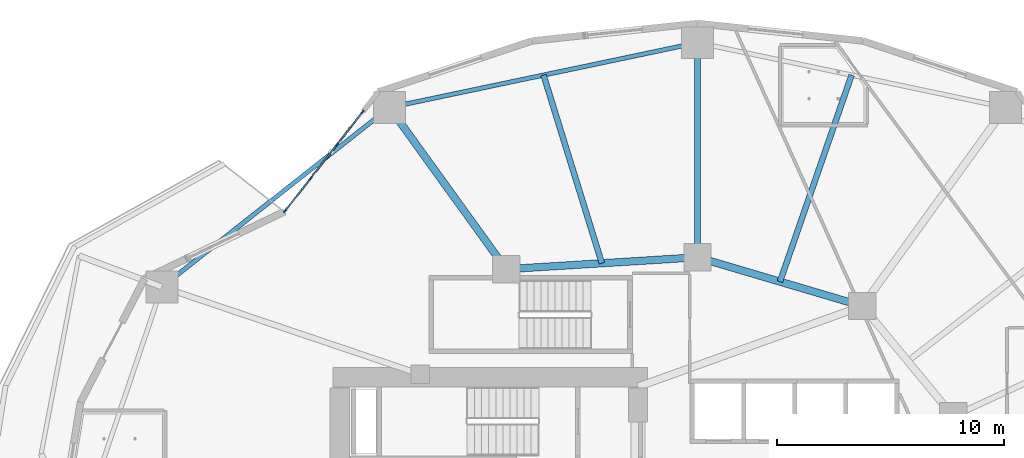
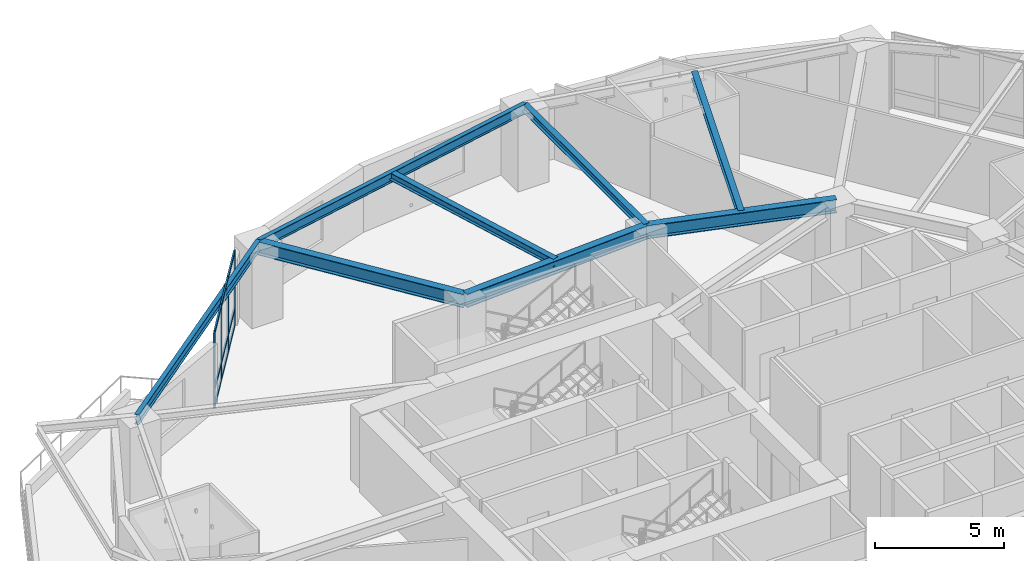
# One storey, part 2 of 18: 13 members, 8 beams, 1 element without a shape of its own.
"""IFC4 building model written with IfcOpenShell, lengths in metres."""

from ifc_helpers import new_model, si_unit, direction, frame, origin, origin_2d, place, context, subcontext, project, spatial, rectangle, i_section, extrude, material, layer, layer_set, material_profile, profile_set, type_object, element, aggregate, save


model = new_model("IFC4")

# Units and contexts
model_context = context("Model", 3, precision=1e-05, world=origin(), true_north=direction((0.0, 1.0)))
body_context = subcontext(model_context, "Body", "Model", "MODEL_VIEW")
ifc_project = project(units=[si_unit("LENGTHUNIT", "METRE"), si_unit("AREAUNIT", "SQUARE_METRE"), si_unit("VOLUMEUNIT", "CUBIC_METRE"), si_unit("PLANEANGLEUNIT", "RADIAN"), si_unit("MASSUNIT", "GRAM", prefix="KILO")], contexts=[model_context])

# Site, building, storey
site_placement = place(None, origin())
site = spatial("IfcSite", under=ifc_project, at=site_placement, CompositionType="ELEMENT")
building_placement = place(site_placement, origin())
building = spatial("IfcBuilding", under=site, at=building_placement, Name="Kolvaren Gate Tower and Convention Centre", CompositionType="ELEMENT")
storey_placement = place(building_placement, frame((0.0, 0.0, 30.35009765625)))
storey = spatial("IfcBuildingStorey", under=building, at=storey_placement, Name="L06", CompositionType="ELEMENT", Elevation=30.35009765625)

# Curtain wall, members
ifc_material_1 = material(Name="Anodized Architectural Aluminium Alloy 6063-T6", Category="aluminium")
ifc_layer = layer(ifc_material_1, 0.159912109375)
ifc_layer_set = layer_set([ifc_layer], Name="Anodized Architectural Aluminium Alloy 6063-T6")
curtain_wall_type = type_object("IfcCurtainWallType", Name="CW-OFF-UNIT", PredefinedType="NOTDEFINED", material=ifc_layer_set)
curtain_wall_placement = place(storey_placement, origin())
curtain_wall = element("IfcCurtainWall", 1, at=curtain_wall_placement, inside=storey, type_object=curtain_wall_type, Name="Tower L06 Unitised Curtain Wall CW-OFF-UNIT Bay 08", PredefinedType="NOTDEFINED")
ifc_material_profile_1 = material_profile(ifc_material_1, rectangle(XDim=0.06494140625, YDim=0.159912109375, at=origin_2d()), Name="CW-MEM-MUL-160")
ifc_profile_set_1 = profile_set([ifc_material_profile_1], Name="Anodized Architectural Aluminium Alloy 6063-T6")
member_type_1 = type_object("IfcMemberType", Name="CW-MEM-MUL-160", PredefinedType="MULLION", material=ifc_profile_set_1)
member_1_placement = place(storey_placement, frame((11.954833984375, 41.23828125, 0.0), z_axis=(0.0, 0.0, 1.0), x_axis=(-0.787416755422, 0.616421003276, 0.0)))
member_1 = element("IfcMember", 2, at=member_1_placement, type_object=member_type_1, Name="CW-02 mullion 1", PredefinedType="MULLION", context=body_context, shape_type="SweptSolid", body=[
    extrude(rectangle(XDim=0.06494140625, YDim=0.159912109375, at=origin_2d()), origin(), (0.0, 0.0, 1.0), 3.56982421875),
])
member_2_placement = place(storey_placement, frame((13.08935546875, 42.68798828125, 0.0), z_axis=(0.0, 0.0, 1.0), x_axis=(-0.787416755422, 0.616421003276, 0.0)))
member_2 = element("IfcMember", 3, at=member_2_placement, type_object=member_type_1, Name="CW-02 mullion 2", PredefinedType="MULLION", context=body_context, shape_type="SweptSolid", body=[
    extrude(rectangle(XDim=0.06494140625, YDim=0.159912109375, at=origin_2d()), origin(), (0.0, 0.0, 1.0), 3.56982421875),
])
member_3_placement = place(storey_placement, frame((14.244140625, 44.1630859375, 0.0), z_axis=(0.0, 0.0, 1.0), x_axis=(-0.787416755422, 0.616421003276, 0.0)))
member_3 = element("IfcMember", 4, at=member_3_placement, type_object=member_type_1, Name="CW-02 mullion 3", PredefinedType="MULLION", context=body_context, shape_type="SweptSolid", body=[
    extrude(rectangle(XDim=0.06494140625, YDim=0.159912109375, at=origin_2d()), origin(), (0.0, 0.0, 1.0), 3.56982421875),
])
member_4_placement = place(storey_placement, frame((15.37890625, 45.612548828125, 0.0), z_axis=(0.0, 0.0, 1.0), x_axis=(-0.787416755422, 0.616421003276, 0.0)))
member_4 = element("IfcMember", 5, at=member_4_placement, type_object=member_type_1, Name="CW-02 mullion 4", PredefinedType="MULLION", context=body_context, shape_type="SweptSolid", body=[
    extrude(rectangle(XDim=0.06494140625, YDim=0.159912109375, at=origin_2d()), origin(), (0.0, 0.0, 1.0), 3.56982421875),
])
ifc_material_profile_2 = material_profile(ifc_material_1, rectangle(XDim=0.06494140625, YDim=0.159912109375, at=origin_2d()), Name="CW-MEM-TRN-160")
ifc_profile_set_2 = profile_set([ifc_material_profile_2], Name="Anodized Architectural Aluminium Alloy 6063-T6")
member_type_2 = type_object("IfcMemberType", Name="CW-MEM-TRN-160", PredefinedType="USERDEFINED", material=ifc_profile_set_2)
member_5_placement = place(storey_placement, frame((11.974853515625, 41.263916015625, 0.032470703125), z_axis=(0.616326796425, 0.787490495186, 0.0), x_axis=(-0.787490495186, 0.616326796425, 0.0)))
member_5 = element("IfcMember", 6, at=member_5_placement, type_object=member_type_2, Name="CW-02 transom 1.1", ObjectType="TRANSOM", PredefinedType="USERDEFINED", context=body_context, shape_type="SweptSolid", body=[
    extrude(rectangle(XDim=0.06494140625, YDim=0.159912109375, at=origin_2d()), origin(), (0.0, 0.0, 1.0), 1.77587890625),
])
member_6_placement = place(storey_placement, frame((11.974853515625, 41.263916015625, 0.849853515625), z_axis=(0.616326796425, 0.787490495186, 0.0), x_axis=(-0.787490495186, 0.616326796425, 0.0)))
member_6 = element("IfcMember", 7, at=member_6_placement, type_object=member_type_2, Name="CW-02 transom 1.2", ObjectType="TRANSOM", PredefinedType="USERDEFINED", context=body_context, shape_type="SweptSolid", body=[
    extrude(rectangle(XDim=0.06494140625, YDim=0.159912109375, at=origin_2d()), origin(), (0.0, 0.0, 1.0), 1.77587890625),
])
member_7_placement = place(storey_placement, frame((11.974853515625, 41.263916015625, 3.537353515625), z_axis=(0.616326796425, 0.787490495186, 0.0), x_axis=(-0.787490495186, 0.616326796425, 0.0)))
member_7 = element("IfcMember", 8, at=member_7_placement, type_object=member_type_2, Name="CW-02 transom 1.3", ObjectType="TRANSOM", PredefinedType="USERDEFINED", context=body_context, shape_type="SweptSolid", body=[
    extrude(rectangle(XDim=0.06494140625, YDim=0.159912109375, at=origin_2d()), origin(), (0.0, 0.0, 1.0), 1.77587890625),
])
member_8_placement = place(storey_placement, frame((13.109619140625, 42.71337890625, 0.032470703125), z_axis=(0.616311901963, 0.78750215206, 0.0), x_axis=(-0.78750215206, 0.616311901963, 0.0)))
member_8 = element("IfcMember", 9, at=member_8_placement, type_object=member_type_2, Name="CW-02 transom 2.1", ObjectType="TRANSOM", PredefinedType="USERDEFINED", context=body_context, shape_type="SweptSolid", body=[
    extrude(rectangle(XDim=0.06494140625, YDim=0.159912109375, at=origin_2d()), origin(), (0.0, 0.0, 1.0), 1.808349609375),
])
member_9_placement = place(storey_placement, frame((13.109619140625, 42.71337890625, 0.849853515625), z_axis=(0.616311901963, 0.78750215206, 0.0), x_axis=(-0.78750215206, 0.616311901963, 0.0)))
member_9 = element("IfcMember", 10, at=member_9_placement, type_object=member_type_2, Name="CW-02 transom 2.2", ObjectType="TRANSOM", PredefinedType="USERDEFINED", context=body_context, shape_type="SweptSolid", body=[
    extrude(rectangle(XDim=0.06494140625, YDim=0.159912109375, at=origin_2d()), origin(), (0.0, 0.0, 1.0), 1.808349609375),
])
member_10_placement = place(storey_placement, frame((13.109619140625, 42.71337890625, 3.537353515625), z_axis=(0.616311901963, 0.78750215206, 0.0), x_axis=(-0.78750215206, 0.616311901963, 0.0)))
member_10 = element("IfcMember", 11, at=member_10_placement, type_object=member_type_2, Name="CW-02 transom 2.3", ObjectType="TRANSOM", PredefinedType="USERDEFINED", context=body_context, shape_type="SweptSolid", body=[
    extrude(rectangle(XDim=0.06494140625, YDim=0.159912109375, at=origin_2d()), origin(), (0.0, 0.0, 1.0), 1.808349609375),
])
member_11_placement = place(storey_placement, frame((14.26416015625, 44.1884765625, 0.032470703125), z_axis=(0.61641204316, 0.787423769674, 0.0), x_axis=(-0.787423769674, 0.61641204316, 0.0)))
member_11 = element("IfcMember", 12, at=member_11_placement, type_object=member_type_2, Name="CW-02 transom 3.1", ObjectType="TRANSOM", PredefinedType="USERDEFINED", context=body_context, shape_type="SweptSolid", body=[
    extrude(rectangle(XDim=0.06494140625, YDim=0.159912109375, at=origin_2d()), origin(), (0.0, 0.0, 1.0), 1.77587890625),
])
member_12_placement = place(storey_placement, frame((14.26416015625, 44.1884765625, 0.849853515625), z_axis=(0.61641204316, 0.787423769674, 0.0), x_axis=(-0.787423769674, 0.61641204316, 0.0)))
member_12 = element("IfcMember", 13, at=member_12_placement, type_object=member_type_2, Name="CW-02 transom 3.2", ObjectType="TRANSOM", PredefinedType="USERDEFINED", context=body_context, shape_type="SweptSolid", body=[
    extrude(rectangle(XDim=0.06494140625, YDim=0.159912109375, at=origin_2d()), origin(), (0.0, 0.0, 1.0), 1.77587890625),
])
member_13_placement = place(storey_placement, frame((14.26416015625, 44.1884765625, 3.537353515625), z_axis=(0.61641204316, 0.787423769674, 0.0), x_axis=(-0.787423769674, 0.61641204316, 0.0)))
member_13 = element("IfcMember", 14, at=member_13_placement, type_object=member_type_2, Name="CW-02 transom 3.3", ObjectType="TRANSOM", PredefinedType="USERDEFINED", context=body_context, shape_type="SweptSolid", body=[
    extrude(rectangle(XDim=0.06494140625, YDim=0.159912109375, at=origin_2d()), origin(), (0.0, 0.0, 1.0), 1.77587890625),
])
aggregate(curtain_wall, [member_1, member_2, member_3, member_4, member_5, member_6, member_7, member_8, member_9, member_10, member_11, member_12, member_13])

# Beams
ifc_material_2 = material(Name="Structural steel ASTM A992 Grade 345 MPa", Category="steel")
ifc_material_profile_3 = material_profile(ifc_material_2, i_section(OverallWidth=0.327880859375, OverallDepth=0.6279296875, WebThickness=0.0166015625, FlangeThickness=0.027587890625, at=origin_2d()), Name="W610X217")
ifc_profile_set_3 = profile_set([ifc_material_profile_3], Name="Structural steel ASTM A992 Grade 345 MPa")
beam_type_1 = type_object("IfcBeamType", Name="STR-BM-W610X217", PredefinedType="BEAM", material=ifc_profile_set_3)
beam_1_placement = place(storey_placement, frame((37.381591796875, 37.054931640625, 3.255859375), z_axis=(-0.958980837827, 0.283470902706, 0.0), x_axis=(-0.283470902706, -0.958980837827, 0.0)))
element("IfcBeam", 15, at=beam_1_placement, inside=storey, type_object=beam_type_1, Name="Tower L06 Primary Ring Girder G-03", PredefinedType="BEAM", context=body_context, shape_type="SweptSolid", body=[
    extrude(i_section(OverallWidth=0.327880859375, OverallDepth=0.6279296875, WebThickness=0.0166015625, FlangeThickness=0.027587890625, at=origin_2d()), origin(), (0.0, 0.0, 1.0), 7.56689453125),
])
beam_2_placement = place(storey_placement, frame((30.125, 39.199951171875, 3.255859375), z_axis=(-0.998078258568, -0.06196603726, 0.0), x_axis=(0.06196603726, -0.998078258568, 0.0)))
element("IfcBeam", 16, at=beam_2_placement, inside=storey, type_object=beam_type_1, Name="Tower L06 Primary Ring Girder G-04", PredefinedType="BEAM", context=body_context, shape_type="SweptSolid", body=[
    extrude(i_section(OverallWidth=0.327880859375, OverallDepth=0.6279296875, WebThickness=0.0166015625, FlangeThickness=0.027587890625, at=origin_2d()), origin(), (0.0, 0.0, 1.0), 8.443115234375),
])
beam_3_placement = place(storey_placement, frame((21.697998046875, 38.6767578125, 3.255859375), z_axis=(-0.585208283095, 0.810883015852, 0.0), x_axis=(-0.810883015852, -0.585208283095, 0.0)))
element("IfcBeam", 17, at=beam_3_placement, inside=storey, type_object=beam_type_1, Name="Tower L06 Radial Floor Girder RB-05", PredefinedType="BEAM", context=body_context, shape_type="SweptSolid", body=[
    extrude(i_section(OverallWidth=0.327880859375, OverallDepth=0.6279296875, WebThickness=0.0166015625, FlangeThickness=0.027587890625, at=origin_2d()), origin(), (0.0, 0.0, 1.0), 8.780029296875),
])
ifc_material_profile_4 = material_profile(ifc_material_2, i_section(OverallWidth=0.2548828125, OverallDepth=0.35693359375, WebThickness=0.010498046875, FlangeThickness=0.018310546875, at=origin_2d()), Name="W360X101")
ifc_profile_set_4 = profile_set([ifc_material_profile_4], Name="Structural steel ASTM A992 Grade 345 MPa")
beam_type_2 = type_object("IfcBeamType", Name="STR-JS-W360X101", PredefinedType="JOIST", material=ifc_profile_set_4)
beam_4_placement = place(storey_placement, frame((30.125, 39.199951171875, 3.391357421875), z_axis=(0.0, 1.0, 0.0), x_axis=(-1.0, 0.0, 0.0)))
element("IfcBeam", 18, at=beam_4_placement, inside=storey, type_object=beam_type_2, Name="Tower L06 Radial Floor Girder RB-04", PredefinedType="JOIST", context=body_context, shape_type="SweptSolid", body=[
    extrude(i_section(OverallWidth=0.2548828125, OverallDepth=0.35693359375, WebThickness=0.010498046875, FlangeThickness=0.018310546875, at=origin_2d()), origin(), (0.0, 0.0, 1.0), 9.449951171875),
])
beam_5_placement = place(storey_placement, frame((33.75341796875, 38.12744140625, 3.391357421875), z_axis=(0.327647050942, 0.944800195813, 0.0), x_axis=(-0.944800195813, 0.327647050942, 0.0)))
element("IfcBeam", 19, at=beam_5_placement, inside=storey, type_object=beam_type_2, Name="Tower L06 Secondary Composite Floor Joist J-03.1", PredefinedType="JOIST", context=body_context, shape_type="SweptSolid", body=[
    extrude(i_section(OverallWidth=0.2548828125, OverallDepth=0.35693359375, WebThickness=0.010498046875, FlangeThickness=0.018310546875, at=origin_2d()), origin(), (0.0, 0.0, 1.0), 9.627197265625),
])
beam_6_placement = place(storey_placement, frame((25.91162109375, 38.938232421875, 3.391357421875), z_axis=(-0.296205333134, 0.955124285433, 0.0), x_axis=(-0.955124285433, -0.296205333134, 0.0)))
element("IfcBeam", 20, at=beam_6_placement, inside=storey, type_object=beam_type_2, Name="Tower L06 Secondary Composite Floor Joist J-04.1", PredefinedType="JOIST", context=body_context, shape_type="SweptSolid", body=[
    extrude(i_section(OverallWidth=0.2548828125, OverallDepth=0.35693359375, WebThickness=0.010498046875, FlangeThickness=0.018310546875, at=origin_2d()), origin(), (0.0, 0.0, 1.0), 8.674072265625),
])
ifc_material_profile_5 = material_profile(ifc_material_2, i_section(OverallWidth=0.194091796875, OverallDepth=0.468994140625, WebThickness=0.0126953125, FlangeThickness=0.0205078125, at=origin_2d()), Name="W460X106")
ifc_profile_set_5 = profile_set([ifc_material_profile_5], Name="Structural steel ASTM A992 Grade 345 MPa")
beam_type_3 = type_object("IfcBeamType", Name="STR-SP-W460X106", PredefinedType="SPANDREL", material=ifc_profile_set_5)
beam_7_placement = place(storey_placement, frame((30.125, 48.64990234375, 3.33544921875), z_axis=(-0.978583407863, -0.205850707685, 0.0), x_axis=(0.205850707685, -0.978583407863, 0.0)))
element("IfcBeam", 21, at=beam_7_placement, inside=storey, type_object=beam_type_3, Name="Tower L06 Perimeter Spandrel Beam SP-04", PredefinedType="SPANDREL", context=body_context, shape_type="SweptSolid", body=[
    extrude(i_section(OverallWidth=0.194091796875, OverallDepth=0.468994140625, WebThickness=0.0126953125, FlangeThickness=0.0205078125, at=origin_2d()), origin(), (0.0, 0.0, 1.0), 13.862060546875),
])
beam_8_placement = place(storey_placement, frame((16.559814453125, 45.79638671875, 3.33544921875), z_axis=(-0.785176498861, -0.619272044933, 0.0), x_axis=(0.619272044933, -0.785176498861, 0.0)))
element("IfcBeam", 22, at=beam_8_placement, inside=storey, type_object=beam_type_3, Name="Tower L06 Perimeter Spandrel Beam SP-05", PredefinedType="SPANDREL", context=body_context, shape_type="SweptSolid", body=[
    extrude(i_section(OverallWidth=0.194091796875, OverallDepth=0.468994140625, WebThickness=0.0126953125, FlangeThickness=0.0205078125, at=origin_2d()), origin(), (0.0, 0.0, 1.0), 12.761474609375),
])

save(model, "model.ifc")
